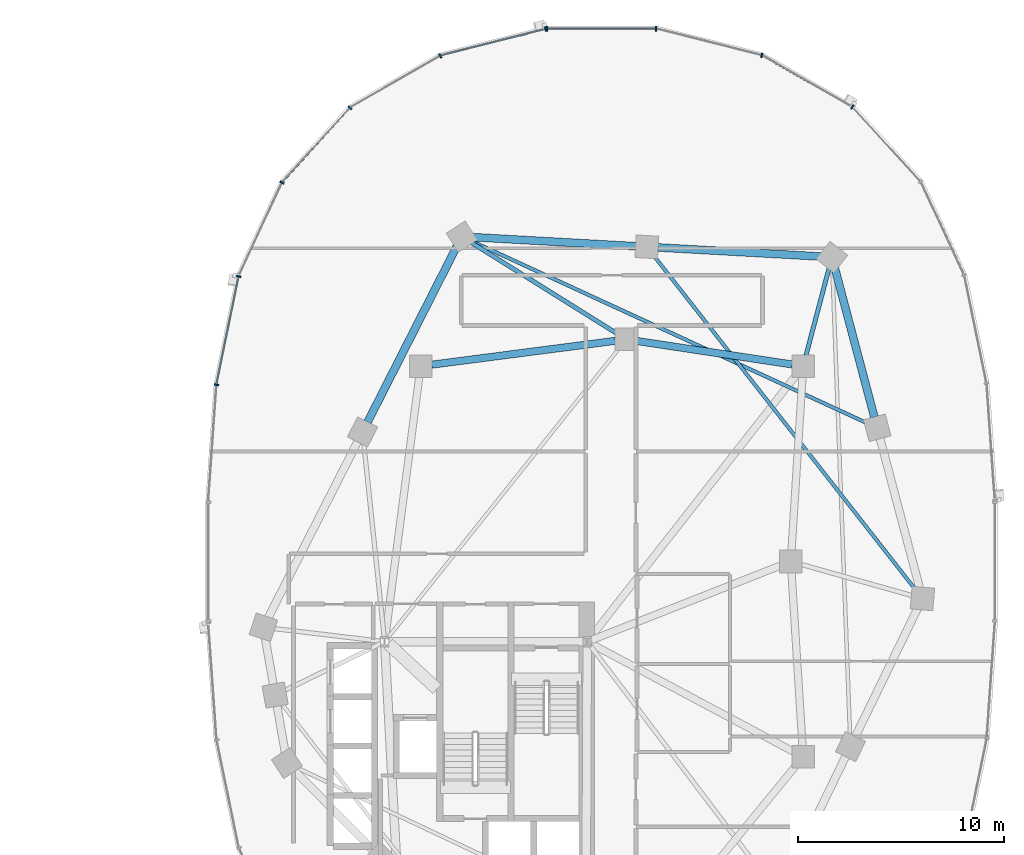
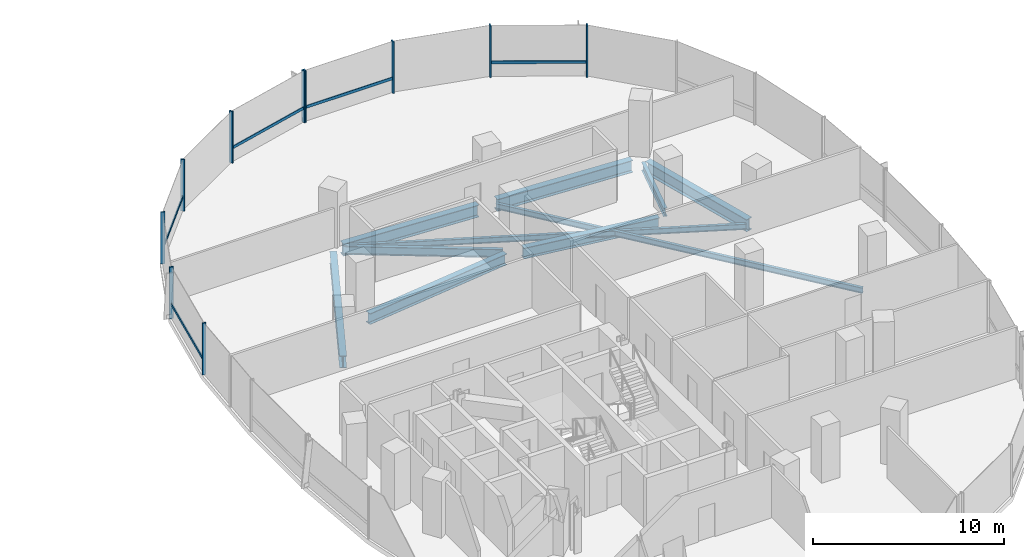
# One storey, part 7 of 21: 15 members, 10 beams, 2 elements without a shape of their own.
"""IFC4 building model written with IfcOpenShell, lengths in metres."""

from ifc_helpers import new_model, si_unit, direction, frame, origin, origin_2d, place, context, subcontext, project, spatial, rectangle, i_section, extrude, material, material_profile, profile_set, type_object, element, aggregate, save


model = new_model("IFC4")

# Units and contexts
model_context = context("Model", 3, precision=1e-05, world=origin(), true_north=direction((0.0, 1.0)))
body_context = subcontext(model_context, "Body", "Model", "MODEL_VIEW")
ifc_project = project(units=[si_unit("LENGTHUNIT", "METRE"), si_unit("AREAUNIT", "SQUARE_METRE"), si_unit("VOLUMEUNIT", "CUBIC_METRE"), si_unit("PLANEANGLEUNIT", "RADIAN"), si_unit("MASSUNIT", "GRAM", prefix="KILO"), si_unit("THERMODYNAMICTEMPERATUREUNIT", "KELVIN"), si_unit("POWERUNIT", "WATT")], contexts=[model_context])

# Site, building, storey
site_placement = place(None, origin())
site = spatial("IfcSite", under=ifc_project, at=site_placement, CompositionType="ELEMENT")
building_placement = place(site_placement, origin())
building = spatial("IfcBuilding", under=site, at=building_placement, Name="Cundina Bronze Exchange", CompositionType="ELEMENT")
storey_placement = place(building_placement, frame((0.0, 0.0, 117.800048828125)))
storey = spatial("IfcBuildingStorey", under=building, at=storey_placement, Name="L30", CompositionType="ELEMENT", Elevation=117.800048828125)

# Beams
ifc_material_1 = material(Name="Steel ASTM A992 Grade 50", Category="steel")
ifc_material_profile_1 = material_profile(ifc_material_1, i_section(OverallWidth=0.2099609375, OverallDepth=0.532958984375, WebThickness=0.01025390625, FlangeThickness=0.015625, FilletRadius=0.013916015625, at=origin_2d()), Name="W21X62", Category="steel")
ifc_profile_set_1 = profile_set([ifc_material_profile_1], Name="Steel ASTM A992 Grade 50")
beam_type_1 = type_object("IfcBeamType", Name="BM-FLR-W21B", PredefinedType="BEAM", material=ifc_profile_set_1)
beam_1_placement = place(storey_placement, frame((41.9375, 10.020263671875, -0.566650390625), z_axis=(0.255357891402, 0.966846599673, 0.0), x_axis=(-0.966846599673, 0.255357891402, 0.0)))
element("IfcBeam", 1, at=beam_1_placement, inside=storey, type_object=beam_type_1, Name="L30 Leg E Chordal Floor Beam 10", PredefinedType="BEAM", context=body_context, shape_type="SweptSolid", body=[
    extrude(i_section(OverallWidth=0.2099609375, OverallDepth=0.532958984375, WebThickness=0.01025390625, FlangeThickness=0.015625, FilletRadius=0.013916015625, at=origin_2d()), origin(), (0.0, 0.0, 1.0), 4.405517578125),
])
beam_2_placement = place(storey_placement, frame((32.743896484375, 11.085205078125, -0.566650390625), z_axis=(-0.848003227047, 0.529991063055, 0.0), x_axis=(-0.529991063055, -0.848003227047, 0.0)))
element("IfcBeam", 2, at=beam_2_placement, inside=storey, type_object=beam_type_1, Name="L30 Leg E Chordal Floor Beam 12", PredefinedType="BEAM", context=body_context, shape_type="SweptSolid", body=[
    extrude(i_section(OverallWidth=0.2099609375, OverallDepth=0.532958984375, WebThickness=0.01025390625, FlangeThickness=0.015625, FilletRadius=0.013916015625, at=origin_2d()), origin(), (0.0, 0.0, 1.0), 8.358154296875),
])
ifc_material_profile_2 = material_profile(ifc_material_1, i_section(OverallWidth=0.172119140625, OverallDepth=0.35791015625, WebThickness=0.0078125, FlangeThickness=0.01318359375, FilletRadius=0.010009765625, at=origin_2d()), Name="W14X38", Category="steel")
ifc_profile_set_2 = profile_set([ifc_material_profile_2], Name="Steel ASTM A992 Grade 50")
beam_type_2 = type_object("IfcBeamType", Name="BM-JST-W14", PredefinedType="JOIST", material=ifc_profile_set_2)
beam_3_placement = place(storey_placement, frame((47.268310546875, -1.37646484375, -0.47900390625), z_axis=(-0.616815348306, 0.787107887201, 0.0), x_axis=(-0.787107887201, -0.616815348306, 0.0)))
element("IfcBeam", 3, at=beam_3_placement, inside=storey, type_object=beam_type_2, Name="L30 Leg E Lobe Floor Joist 08-11", PredefinedType="JOIST", context=body_context, shape_type="SweptSolid", body=[
    extrude(i_section(OverallWidth=0.172119140625, OverallDepth=0.35791015625, WebThickness=0.0078125, FlangeThickness=0.01318359375, FilletRadius=0.010009765625, at=origin_2d()), origin(), (0.0, 0.0, 1.0), 20.64892578125),
])
beam_4_placement = place(storey_placement, frame((44.911376953125, 6.72509765625, -0.47900390625), z_axis=(-0.908357076874, 0.41819543385, 0.0), x_axis=(-0.41819543385, -0.908357076874, 0.0)))
element("IfcBeam", 4, at=beam_4_placement, inside=storey, type_object=beam_type_2, Name="L30 Leg E Lobe Floor Joist 09-12", PredefinedType="JOIST", context=body_context, shape_type="SweptSolid", body=[
    extrude(i_section(OverallWidth=0.172119140625, OverallDepth=0.35791015625, WebThickness=0.0078125, FlangeThickness=0.01318359375, FilletRadius=0.010009765625, at=origin_2d()), origin(), (0.0, 0.0, 1.0), 21.162109375),
])
ifc_material_profile_3 = material_profile(ifc_material_1, i_section(OverallWidth=0.35498046875, OverallDepth=0.695068359375, WebThickness=0.015380859375, FlangeThickness=0.02490234375, FilletRadius=0.01806640625, at=origin_2d()), Name="W27X146", Category="steel")
ifc_profile_set_3 = profile_set([ifc_material_profile_3], Name="Steel ASTM A992 Grade 50")
beam_type_3 = type_object("IfcBeamType", Name="BM-RING-W27", PredefinedType="USERDEFINED", material=ifc_profile_set_3)
beam_5_placement = place(storey_placement, frame((41.26806640625, 9.580322265625, -0.6474609375), z_axis=(-0.988767489563, 0.149461873341, 0.0), x_axis=(-0.149461873341, -0.988767489563, 0.0)))
element("IfcBeam", 5, at=beam_5_placement, inside=storey, type_object=beam_type_3, Name="L30 E Inner Structural Ring Girder 05", ObjectType="GIRDER", PredefinedType="USERDEFINED", context=body_context, shape_type="SweptSolid", body=[
    extrude(i_section(OverallWidth=0.35498046875, OverallDepth=0.695068359375, WebThickness=0.015380859375, FlangeThickness=0.02490234375, FilletRadius=0.01806640625, at=origin_2d()), origin(), (0.0, 0.0, 1.0), 7.621826171875),
])
beam_6_placement = place(storey_placement, frame((32.66650390625, 10.730712890625, -0.6474609375), z_axis=(-0.991654577907, -0.128923225666, 0.0), x_axis=(0.128923225666, -0.991654577907, 0.0)))
element("IfcBeam", 6, at=beam_6_placement, inside=storey, type_object=beam_type_3, Name="L30 E Inner Structural Ring Girder 06", ObjectType="GIRDER", PredefinedType="USERDEFINED", context=body_context, shape_type="SweptSolid", body=[
    extrude(i_section(OverallWidth=0.35498046875, OverallDepth=0.695068359375, WebThickness=0.015380859375, FlangeThickness=0.02490234375, FilletRadius=0.01806640625, at=origin_2d()), origin(), (0.0, 0.0, 1.0), 9.00830078125),
])
ifc_material_profile_4 = material_profile(ifc_material_1, i_section(OverallWidth=0.381103515625, OverallDepth=0.77294921875, WebThickness=0.0166015625, FlangeThickness=0.027099609375, FilletRadius=0.01904296875, at=origin_2d()), Name="W30X173", Category="steel")
ifc_profile_set_4 = profile_set([ifc_material_profile_4], Name="Steel ASTM A992 Grade 50")
beam_type_4 = type_object("IfcBeamType", Name="BM-RING-W30", PredefinedType="USERDEFINED", material=ifc_profile_set_4)
beam_7_placement = place(storey_placement, frame((45.26220703125, 7.02001953125, -0.6865234375), z_axis=(-0.256209719931, 0.966621218168, 0.0), x_axis=(-0.966621218168, -0.256209719931, 0.0)))
element("IfcBeam", 7, at=beam_7_placement, inside=storey, type_object=beam_type_4, Name="L30 E Perimeter Ring Girder 09", ObjectType="GIRDER", PredefinedType="USERDEFINED", context=body_context, shape_type="SweptSolid", body=[
    extrude(i_section(OverallWidth=0.381103515625, OverallDepth=0.77294921875, WebThickness=0.0166015625, FlangeThickness=0.027099609375, FilletRadius=0.01904296875, at=origin_2d()), origin(), (0.0, 0.0, 1.0), 7.5107421875),
])
for number, where, z_axis, x_axis, name in (
    (8, (42.662841796875, 14.829833984375, -0.6865234375), (-0.99845950136, 0.055485350721, 0.0), (-0.055485350721, -0.99845950136, 0.0), "L30 E Perimeter Ring Girder 10"),
    (9, (33.662841796875, 15.329833984375, -0.6865234375), (-0.99845950136, 0.055485350721, 0.0), (-0.055485350721, -0.99845950136, 0.0), "L30 E Perimeter Ring Girder 11"),
):
    element("IfcBeam", number, at=place(storey_placement, frame(where, z_axis=z_axis, x_axis=x_axis)), inside=storey, type_object=beam_type_4, Name=name, ObjectType="GIRDER", PredefinedType="USERDEFINED", context=body_context, shape_type="SweptSolid", body=[
        extrude(i_section(OverallWidth=0.381103515625, OverallDepth=0.77294921875, WebThickness=0.0166015625, FlangeThickness=0.027099609375, FilletRadius=0.01904296875, at=origin_2d()), origin(), (0.0, 0.0, 1.0), 7.937744140625),
    ])
beam_8_placement = place(storey_placement, frame((24.956298828125, 15.3203125, -0.6865234375), z_axis=(-0.452832332744, -0.891595692241, 0.0), x_axis=(0.891595692241, -0.452832332744, 0.0)))
element("IfcBeam", 10, at=beam_8_placement, inside=storey, type_object=beam_type_4, Name="L30 E Perimeter Ring Girder 12", ObjectType="GIRDER", PredefinedType="USERDEFINED", context=body_context, shape_type="SweptSolid", body=[
    extrude(i_section(OverallWidth=0.381103515625, OverallDepth=0.77294921875, WebThickness=0.0166015625, FlangeThickness=0.027099609375, FilletRadius=0.01904296875, at=origin_2d()), origin(), (0.0, 0.0, 1.0), 9.578857421875),
])

# Curtain wall, members
ifc_material_2 = material(Name="Anodised Bronze Aluminium 6063-T6", Category="aluminium")
curtain_wall_type = type_object("IfcCurtainWallType", Name="CWS-TRD-MID", PredefinedType="NOTDEFINED", material=ifc_material_2)
curtain_wall_1_placement = place(storey_placement, origin())
curtain_wall_1 = element("IfcCurtainWall", 11, at=curtain_wall_1_placement, inside=storey, type_object=curtain_wall_type, Name="L30 CW-03 Curtain Wall Run CWR-L30-E1", PredefinedType="NOTDEFINED")
ifc_material_profile_5 = material_profile(ifc_material_2, rectangle(XDim=0.074951171875, YDim=0.219970703125, at=origin_2d()), Name="AL75X220", Category="aluminium")
ifc_profile_set_5 = profile_set([ifc_material_profile_5], Name="Anodised Bronze Aluminium 6063-T6")
member_type_1 = type_object("IfcMemberType", Name="CWM-MUL-220", PredefinedType="MULLION", material=ifc_profile_set_5)
member_1_placement = place(storey_placement, frame((44.189697265625, 22.097412109375, 0.0), z_axis=(0.0, 0.0, 1.0), x_axis=(-0.867070701164, 0.498185105339, 0.0)))
member_1 = element("IfcMember", 12, at=member_1_placement, type_object=member_type_1, Name="CW-03 Mullion 5", PredefinedType="MULLION", context=body_context, shape_type="SweptSolid", body=[
    extrude(rectangle(XDim=0.074951171875, YDim=0.219970703125, at=origin_2d()), origin(), (0.0, 0.0, 1.0), 3.300048828125),
])
member_2_placement = place(storey_placement, frame((39.78515625, 24.61669921875, 0.0), z_axis=(0.0, 0.0, 1.0), x_axis=(-0.969488149345, 0.245138182011, 0.0)))
member_2 = element("IfcMember", 13, at=member_2_placement, type_object=member_type_1, Name="CW-03 Mullion 6", PredefinedType="MULLION", context=body_context, shape_type="SweptSolid", body=[
    extrude(rectangle(XDim=0.074951171875, YDim=0.219970703125, at=origin_2d()), origin(), (0.0, 0.0, 1.0), 3.300048828125),
])
member_3_placement = place(storey_placement, frame((34.654541015625, 25.905029296875, 0.0), z_axis=(0.0, 0.0, 1.0), x_axis=(-1.0, 0.0, 0.0)))
member_3 = element("IfcMember", 14, at=member_3_placement, type_object=member_type_1, Name="CW-03 Mullion 7", PredefinedType="MULLION", context=body_context, shape_type="SweptSolid", body=[
    extrude(rectangle(XDim=0.074951171875, YDim=0.219970703125, at=origin_2d()), origin(), (0.0, 0.0, 1.0), 3.300048828125),
])
member_4_placement = place(storey_placement, frame((29.345458984375, 25.905029296875, 0.0), z_axis=(0.0, 0.0, 1.0), x_axis=(-1.0, 0.0, 0.0)))
member_4 = element("IfcMember", 15, at=member_4_placement, type_object=member_type_1, Name="CW-03 End Mullion", PredefinedType="MULLION", context=body_context, shape_type="SweptSolid", body=[
    extrude(rectangle(XDim=0.074951171875, YDim=0.219970703125, at=origin_2d()), origin(), (0.0, 0.0, 1.0), 3.300048828125),
])

curtain_wall_2_placement = place(storey_placement, origin())
curtain_wall_2 = element("IfcCurtainWall", 16, at=curtain_wall_2_placement, inside=storey, type_object=curtain_wall_type, Name="L30 CW-03 Curtain Wall Run CWR-L30-E2", PredefinedType="NOTDEFINED")
member_5_placement = place(storey_placement, frame((29.27392578125, 25.89599609375, 0.0), z_axis=(0.0, 0.0, 1.0), x_axis=(-0.969488149345, -0.245138182011, 0.0)))
member_5 = element("IfcMember", 17, at=member_5_placement, type_object=member_type_1, Name="CW-03 Mullion 1", PredefinedType="MULLION", context=body_context, shape_type="SweptSolid", body=[
    extrude(rectangle(XDim=0.074951171875, YDim=0.219970703125, at=origin_2d()), origin(), (0.0, 0.0, 1.0), 3.300048828125),
])
member_6_placement = place(storey_placement, frame((24.151123046875, 24.591064453125, 0.0), z_axis=(0.0, 0.0, 1.0), x_axis=(-0.867070701164, -0.498185105339, 0.0)))
member_6 = element("IfcMember", 18, at=member_6_placement, type_object=member_type_1, Name="CW-03 Mullion 2", PredefinedType="MULLION", context=body_context, shape_type="SweptSolid", body=[
    extrude(rectangle(XDim=0.074951171875, YDim=0.219970703125, at=origin_2d()), origin(), (0.0, 0.0, 1.0), 3.300048828125),
])
member_7_placement = place(storey_placement, frame((19.760498046875, 22.0576171875, 0.0), z_axis=(0.0, 0.0, 1.0), x_axis=(-0.674302387584, -0.738455340626, 0.0)))
member_7 = element("IfcMember", 19, at=member_7_placement, type_object=member_type_1, Name="CW-03 Mullion 3", PredefinedType="MULLION", context=body_context, shape_type="SweptSolid", body=[
    extrude(rectangle(XDim=0.074951171875, YDim=0.219970703125, at=origin_2d()), origin(), (0.0, 0.0, 1.0), 3.300048828125),
])
member_8_placement = place(storey_placement, frame((16.455810546875, 18.423583984375, 0.0), z_axis=(0.0, 0.0, 1.0), x_axis=(-0.42087749791, -0.907117485088, 0.0)))
member_8 = element("IfcMember", 20, at=member_8_placement, type_object=member_type_1, Name="CW-03 Mullion 4", PredefinedType="MULLION", context=body_context, shape_type="SweptSolid", body=[
    extrude(rectangle(XDim=0.074951171875, YDim=0.219970703125, at=origin_2d()), origin(), (0.0, 0.0, 1.0), 3.300048828125),
])
member_9_placement = place(storey_placement, frame((14.348876953125, 13.861328125, 0.0), z_axis=(0.0, 0.0, 1.0), x_axis=(-0.201419845156, -0.979505000486, 0.0)))
member_9 = element("IfcMember", 21, at=member_9_placement, type_object=member_type_1, Name="CW-03 Mullion 5", PredefinedType="MULLION", context=body_context, shape_type="SweptSolid", body=[
    extrude(rectangle(XDim=0.074951171875, YDim=0.219970703125, at=origin_2d()), origin(), (0.0, 0.0, 1.0), 3.300048828125),
])
member_10_placement = place(storey_placement, frame((13.27099609375, 8.591552734375, 0.0), z_axis=(0.0, 0.0, 1.0), x_axis=(-0.070278787473, -0.997527389113, 0.0)))
member_10 = element("IfcMember", 22, at=member_10_placement, type_object=member_type_1, Name="CW-03 Mullion 6", PredefinedType="MULLION", context=body_context, shape_type="SweptSolid", body=[
    extrude(rectangle(XDim=0.074951171875, YDim=0.219970703125, at=origin_2d()), origin(), (0.0, 0.0, 1.0), 3.300048828125),
])

# Member
ifc_material_profile_6 = material_profile(ifc_material_2, rectangle(XDim=0.070068359375, YDim=0.179931640625, at=origin_2d()), Name="AL70X180", Category="aluminium")
ifc_profile_set_6 = profile_set([ifc_material_profile_6], Name="Anodised Bronze Aluminium 6063-T6")
member_type_2 = type_object("IfcMemberType", Name="CWM-TRN-180", PredefinedType="USERDEFINED", material=ifc_profile_set_6)
member_11_placement = place(storey_placement, frame((44.154052734375, 22.117919921875, 0.919921875), z_axis=(-0.867097475651, 0.498138502546, 0.0), x_axis=(-0.498138502546, -0.867097475651, 0.0)))
member_11 = element("IfcMember", 23, at=member_11_placement, type_object=member_type_2, Name="CW-03 Spandrel Transom 5", ObjectType="TRANSOM", PredefinedType="USERDEFINED", context=body_context, shape_type="SweptSolid", body=[
    extrude(rectangle(XDim=0.070068359375, YDim=0.179931640625, at=origin_2d()), origin(), (0.0, 0.0, 1.0), 5.00634765625),
])

member_12_placement = place(storey_placement, frame((34.61328125, 25.905029296875, 0.919921875), z_axis=(-1.0, 0.0, 0.0), x_axis=(0.0, -1.0, 0.0)))
member_12 = element("IfcMember", 24, at=member_12_placement, type_object=member_type_2, Name="CW-03 Spandrel Transom 7", ObjectType="TRANSOM", PredefinedType="USERDEFINED", context=body_context, shape_type="SweptSolid", body=[
    extrude(rectangle(XDim=0.070068359375, YDim=0.179931640625, at=origin_2d()), origin(), (0.0, 0.0, 1.0), 5.2265625),
])

aggregate(curtain_wall_1, [member_1, member_11, member_2, member_3, member_4, member_12])

member_13_placement = place(storey_placement, frame((29.23388671875, 25.885986328125, 0.919921875), z_axis=(-0.969483968866, -0.245154714644, 0.0), x_axis=(0.245154714644, -0.969483968866, 0.0)))
member_13 = element("IfcMember", 25, at=member_13_placement, type_object=member_type_2, Name="CW-03 Spandrel Transom 1", ObjectType="TRANSOM", PredefinedType="USERDEFINED", context=body_context, shape_type="SweptSolid", body=[
    extrude(rectangle(XDim=0.070068359375, YDim=0.179931640625, at=origin_2d()), origin(), (0.0, 0.0, 1.0), 5.21826171875),
])

member_14_placement = place(storey_placement, frame((19.73291015625, 22.027099609375, 0.919921875), z_axis=(-0.674302794847, -0.738454968743, 0.0), x_axis=(0.738454968743, -0.674302794847, 0.0)))
member_14 = element("IfcMember", 26, at=member_14_placement, type_object=member_type_2, Name="CW-03 Spandrel Transom 3", ObjectType="TRANSOM", PredefinedType="USERDEFINED", context=body_context, shape_type="SweptSolid", body=[
    extrude(rectangle(XDim=0.070068359375, YDim=0.179931640625, at=origin_2d()), origin(), (0.0, 0.0, 1.0), 4.848388671875),
])

member_15_placement = place(storey_placement, frame((14.340576171875, 13.821044921875, 0.919921875), z_axis=(-0.201427712708, -0.979503382615, 0.0), x_axis=(0.979503382615, -0.201427712708, 0.0)))
member_15 = element("IfcMember", 27, at=member_15_placement, type_object=member_type_2, Name="CW-03 Spandrel Transom 5", ObjectType="TRANSOM", PredefinedType="USERDEFINED", context=body_context, shape_type="SweptSolid", body=[
    extrude(rectangle(XDim=0.070068359375, YDim=0.179931640625, at=origin_2d()), origin(), (0.0, 0.0, 1.0), 5.291748046875),
])

aggregate(curtain_wall_2, [member_5, member_13, member_6, member_7, member_14, member_8, member_9, member_15, member_10])

save(model, "model.ifc")
